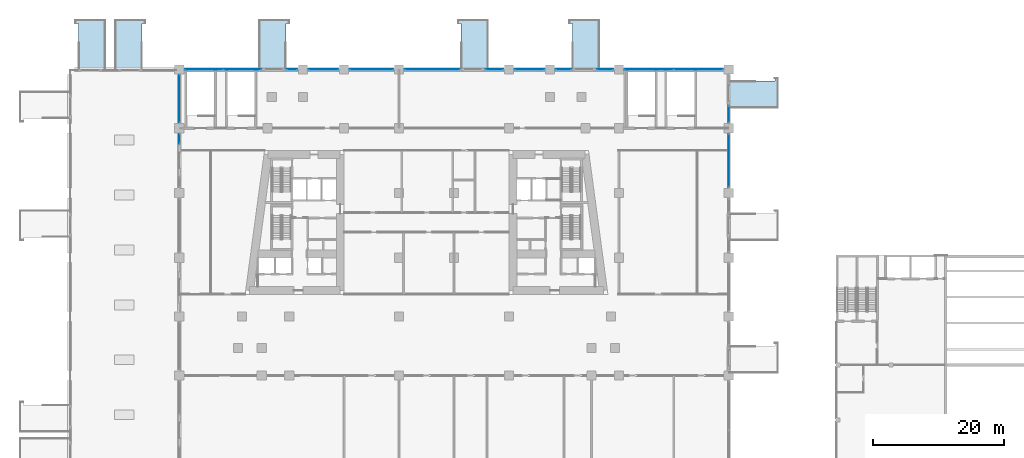
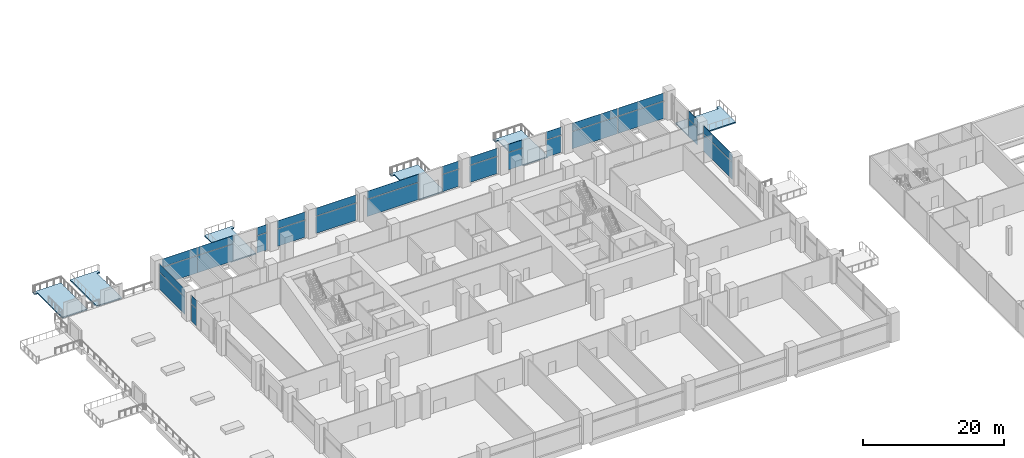
# One storey, part 13 of 33: 32 plates, 6 slabs, 14 elements without a shape of their own.
"""IFC4 building model written with IfcOpenShell, lengths in metres."""

from ifc_helpers import new_model, si_unit, direction, frame, origin, origin_2d, place, context, subcontext, project, spatial, polyline, rectangle, outline, extrude, material, layer, layer_set, type_object, element, aggregate, save


model = new_model("IFC4")

# Units and contexts
model_context = context("Model", 3, precision=1e-05, world=origin(), true_north=direction((0.0, 1.0)))
body_context = subcontext(model_context, "Body", "Model", "MODEL_VIEW")
ifc_project = project(units=[si_unit("LENGTHUNIT", "METRE"), si_unit("AREAUNIT", "SQUARE_METRE"), si_unit("VOLUMEUNIT", "CUBIC_METRE"), si_unit("PLANEANGLEUNIT", "RADIAN"), si_unit("MASSUNIT", "GRAM", prefix="KILO")], contexts=[model_context])

# Site, building, storey
site_placement = place(None, origin())
site = spatial("IfcSite", under=ifc_project, at=site_placement, CompositionType="ELEMENT")
building_placement = place(site_placement, origin())
building = spatial("IfcBuilding", under=site, at=building_placement, Name="Candeia Pilgrim Tower and Theatre", CompositionType="ELEMENT")
storey_placement = place(building_placement, frame((0.0, 0.0, 29.0)))
storey = spatial("IfcBuildingStorey", under=building, at=storey_placement, Name="L04", CompositionType="ELEMENT", Elevation=29.0)

# Curtain wall, plates
ifc_material_1 = material(Name="Aluminium framed podium glazing", Category="aluminium")
curtain_wall_type = type_object("IfcCurtainWallType", Name="CW-P curtain wall", PredefinedType="NOTDEFINED", material=ifc_material_1)
curtain_wall_1_placement = place(storey_placement, origin())
curtain_wall_1 = element("IfcCurtainWall", 1, at=curtain_wall_1_placement, inside=storey, type_object=curtain_wall_type, Name="Curtain wall CW-P L04.041", PredefinedType="NOTDEFINED")
ifc_material_2 = material(Name="Laminated low-iron glass 2 x 8 mm", Category="glass")
ifc_layer_1 = layer(ifc_material_2, 0.035888671875)
ifc_layer_set_1 = layer_set([ifc_layer_1], Name="CW-P glass panel 36")
plate_type = type_object("IfcPlateType", Name="CW-P glass panel 36", PredefinedType="CURTAIN_PANEL", material=ifc_layer_set_1)
plate_1_placement = place(storey_placement, frame((75.60009765625, 134.175048828125, 0.0), z_axis=(0.0, 0.0, 1.0), x_axis=(0.0, 1.0, 0.0)))
plate_1 = element("IfcPlate", 2, at=plate_1_placement, type_object=plate_type, Name="CW-P panel 1.1", PredefinedType="CURTAIN_PANEL", context=body_context, shape_type="SweptSolid", body=[
    extrude(rectangle(XDim=1.469970703125, YDim=0.035888671875, at=origin_2d()), origin(), (0.0, 0.0, 1.0), 2.9599609375),
])
plate_2_placement = place(storey_placement, frame((75.60009765625, 134.175048828125, 3.0400390625), z_axis=(0.0, 0.0, 1.0), x_axis=(0.0, 1.0, 0.0)))
plate_2 = element("IfcPlate", 3, at=plate_2_placement, type_object=plate_type, Name="CW-P panel 1.2", PredefinedType="CURTAIN_PANEL", context=body_context, shape_type="SweptSolid", body=[
    extrude(rectangle(XDim=1.469970703125, YDim=0.035888671875, at=origin_2d()), origin(), (0.0, 0.0, 1.0), 1.360107421875),
])
aggregate(curtain_wall_1, [plate_1, plate_2])

curtain_wall_2_placement = place(storey_placement, origin())
curtain_wall_2 = element("IfcCurtainWall", 4, at=curtain_wall_2_placement, inside=storey, type_object=curtain_wall_type, Name="Curtain wall CW-P L04.050", PredefinedType="NOTDEFINED")
plate_3_placement = place(storey_placement, frame((75.60009765625, 140.300048828125, 0.0), z_axis=(0.0, 0.0, 1.0), x_axis=(0.0, 1.0, 0.0)))
plate_3 = element("IfcPlate", 5, at=plate_3_placement, type_object=plate_type, Name="CW-P panel 1.1", PredefinedType="CURTAIN_PANEL", context=body_context, shape_type="SweptSolid", body=[
    extrude(rectangle(XDim=7.219970703125, YDim=0.035888671875, at=origin_2d()), origin(), (0.0, 0.0, 1.0), 2.9599609375),
])
plate_4_placement = place(storey_placement, frame((75.60009765625, 140.300048828125, 3.0400390625), z_axis=(0.0, 0.0, 1.0), x_axis=(0.0, 1.0, 0.0)))
plate_4 = element("IfcPlate", 6, at=plate_4_placement, type_object=plate_type, Name="CW-P panel 1.2", PredefinedType="CURTAIN_PANEL", context=body_context, shape_type="SweptSolid", body=[
    extrude(rectangle(XDim=7.219970703125, YDim=0.035888671875, at=origin_2d()), origin(), (0.0, 0.0, 1.0), 1.360107421875),
])
aggregate(curtain_wall_2, [plate_3, plate_4])

curtain_wall_3_placement = place(storey_placement, origin())
curtain_wall_3 = element("IfcCurtainWall", 7, at=curtain_wall_3_placement, inside=storey, type_object=curtain_wall_type, Name="Curtain wall CW-P L04.100", PredefinedType="NOTDEFINED")
plate_5_placement = place(storey_placement, frame((79.375, 144.800048828125, 0.0), z_axis=(0.0, 0.0, 1.0), x_axis=(1.0, 0.0, 0.0)))
plate_5 = element("IfcPlate", 8, at=plate_5_placement, type_object=plate_type, Name="CW-P panel 1.1", PredefinedType="CURTAIN_PANEL", context=body_context, shape_type="SweptSolid", body=[
    extrude(rectangle(XDim=5.77001953125, YDim=0.035888671875, at=origin_2d()), origin(), (0.0, 0.0, 1.0), 2.9599609375),
])
plate_6_placement = place(storey_placement, frame((79.375, 144.800048828125, 3.0400390625), z_axis=(0.0, 0.0, 1.0), x_axis=(1.0, 0.0, 0.0)))
plate_6 = element("IfcPlate", 9, at=plate_6_placement, type_object=plate_type, Name="CW-P panel 1.2", PredefinedType="CURTAIN_PANEL", context=body_context, shape_type="SweptSolid", body=[
    extrude(rectangle(XDim=5.77001953125, YDim=0.035888671875, at=origin_2d()), origin(), (0.0, 0.0, 1.0), 1.360107421875),
])
plate_7_placement = place(storey_placement, frame((85.22509765625, 144.800048828125, 0.0), z_axis=(0.0, 0.0, 1.0), x_axis=(1.0, 0.0, 0.0)))
plate_7 = element("IfcPlate", 10, at=plate_7_placement, type_object=plate_type, Name="CW-P panel 2.1", PredefinedType="CURTAIN_PANEL", context=body_context, shape_type="SweptSolid", body=[
    extrude(rectangle(XDim=5.77001953125, YDim=0.035888671875, at=origin_2d()), origin(), (0.0, 0.0, 1.0), 2.9599609375),
])
plate_8_placement = place(storey_placement, frame((85.22509765625, 144.800048828125, 3.0400390625), z_axis=(0.0, 0.0, 1.0), x_axis=(1.0, 0.0, 0.0)))
plate_8 = element("IfcPlate", 11, at=plate_8_placement, type_object=plate_type, Name="CW-P panel 2.2", PredefinedType="CURTAIN_PANEL", context=body_context, shape_type="SweptSolid", body=[
    extrude(rectangle(XDim=5.77001953125, YDim=0.035888671875, at=origin_2d()), origin(), (0.0, 0.0, 1.0), 1.360107421875),
])
aggregate(curtain_wall_3, [plate_5, plate_6, plate_7, plate_8])

curtain_wall_4_placement = place(storey_placement, origin())
curtain_wall_4 = element("IfcCurtainWall", 12, at=curtain_wall_4_placement, inside=storey, type_object=curtain_wall_type, Name="Curtain wall CW-P L04.101", PredefinedType="NOTDEFINED")
plate_9_placement = place(storey_placement, frame((92.85009765625, 144.800048828125, 0.0), z_axis=(0.0, 0.0, 1.0), x_axis=(1.0, 0.0, 0.0)))
plate_9 = element("IfcPlate", 13, at=plate_9_placement, type_object=plate_type, Name="CW-P panel 1.1", PredefinedType="CURTAIN_PANEL", context=body_context, shape_type="SweptSolid", body=[
    extrude(rectangle(XDim=1.52001953125, YDim=0.035888671875, at=origin_2d()), origin(), (0.0, 0.0, 1.0), 2.9599609375),
])
plate_10_placement = place(storey_placement, frame((92.85009765625, 144.800048828125, 3.0400390625), z_axis=(0.0, 0.0, 1.0), x_axis=(1.0, 0.0, 0.0)))
plate_10 = element("IfcPlate", 14, at=plate_10_placement, type_object=plate_type, Name="CW-P panel 1.2", PredefinedType="CURTAIN_PANEL", context=body_context, shape_type="SweptSolid", body=[
    extrude(rectangle(XDim=1.52001953125, YDim=0.035888671875, at=origin_2d()), origin(), (0.0, 0.0, 1.0), 1.360107421875),
])
aggregate(curtain_wall_4, [plate_9, plate_10])

curtain_wall_5_placement = place(storey_placement, origin())
curtain_wall_5 = element("IfcCurtainWall", 15, at=curtain_wall_5_placement, inside=storey, type_object=curtain_wall_type, Name="Curtain wall CW-P L04.110", PredefinedType="NOTDEFINED")
plate_11_placement = place(storey_placement, frame((97.64990234375, 144.800048828125, 0.0), z_axis=(0.0, 0.0, 1.0), x_axis=(1.0, 0.0, 0.0)))
plate_11 = element("IfcPlate", 16, at=plate_11_placement, type_object=plate_type, Name="CW-P panel 1.1", PredefinedType="CURTAIN_PANEL", context=body_context, shape_type="SweptSolid", body=[
    extrude(rectangle(XDim=4.52001953125, YDim=0.035888671875, at=origin_2d()), origin(), (0.0, 0.0, 1.0), 2.9599609375),
])
plate_12_placement = place(storey_placement, frame((97.64990234375, 144.800048828125, 3.0400390625), z_axis=(0.0, 0.0, 1.0), x_axis=(1.0, 0.0, 0.0)))
plate_12 = element("IfcPlate", 17, at=plate_12_placement, type_object=plate_type, Name="CW-P panel 1.2", PredefinedType="CURTAIN_PANEL", context=body_context, shape_type="SweptSolid", body=[
    extrude(rectangle(XDim=4.52001953125, YDim=0.035888671875, at=origin_2d()), origin(), (0.0, 0.0, 1.0), 1.360107421875),
])
aggregate(curtain_wall_5, [plate_11, plate_12])

curtain_wall_6_placement = place(storey_placement, origin())
curtain_wall_6 = element("IfcCurtainWall", 18, at=curtain_wall_6_placement, inside=storey, type_object=curtain_wall_type, Name="Curtain wall CW-P L04.120", PredefinedType="NOTDEFINED")
plate_13_placement = place(storey_placement, frame((105.0, 144.800048828125, 0.0), z_axis=(0.0, 0.0, 1.0), x_axis=(1.0, 0.0, 0.0)))
plate_13 = element("IfcPlate", 19, at=plate_13_placement, type_object=plate_type, Name="CW-P panel 1.1", PredefinedType="CURTAIN_PANEL", context=body_context, shape_type="SweptSolid", body=[
    extrude(rectangle(XDim=6.6201171875, YDim=0.035888671875, at=origin_2d()), origin(), (0.0, 0.0, 1.0), 2.9599609375),
])
plate_14_placement = place(storey_placement, frame((105.0, 144.800048828125, 3.0400390625), z_axis=(0.0, 0.0, 1.0), x_axis=(1.0, 0.0, 0.0)))
plate_14 = element("IfcPlate", 20, at=plate_14_placement, type_object=plate_type, Name="CW-P panel 1.2", PredefinedType="CURTAIN_PANEL", context=body_context, shape_type="SweptSolid", body=[
    extrude(rectangle(XDim=6.6201171875, YDim=0.035888671875, at=origin_2d()), origin(), (0.0, 0.0, 1.0), 1.360107421875),
])
aggregate(curtain_wall_6, [plate_13, plate_14])

curtain_wall_7_placement = place(storey_placement, origin())
curtain_wall_7 = element("IfcCurtainWall", 21, at=curtain_wall_7_placement, inside=storey, type_object=curtain_wall_type, Name="Curtain wall CW-P L04.130", PredefinedType="NOTDEFINED")
plate_15_placement = place(storey_placement, frame((114.300048828125, 144.800048828125, 0.0), z_axis=(0.0, 0.0, 1.0), x_axis=(1.0, 0.0, 0.0)))
plate_15 = element("IfcPlate", 22, at=plate_15_placement, type_object=plate_type, Name="CW-P panel 1.1", PredefinedType="CURTAIN_PANEL", context=body_context, shape_type="SweptSolid", body=[
    extrude(rectangle(XDim=8.419921875, YDim=0.035888671875, at=origin_2d()), origin(), (0.0, 0.0, 1.0), 2.9599609375),
])
plate_16_placement = place(storey_placement, frame((114.300048828125, 144.800048828125, 3.0400390625), z_axis=(0.0, 0.0, 1.0), x_axis=(1.0, 0.0, 0.0)))
plate_16 = element("IfcPlate", 23, at=plate_16_placement, type_object=plate_type, Name="CW-P panel 1.2", PredefinedType="CURTAIN_PANEL", context=body_context, shape_type="SweptSolid", body=[
    extrude(rectangle(XDim=8.419921875, YDim=0.035888671875, at=origin_2d()), origin(), (0.0, 0.0, 1.0), 1.360107421875),
])
aggregate(curtain_wall_7, [plate_15, plate_16])

curtain_wall_8_placement = place(storey_placement, origin())
curtain_wall_8 = element("IfcCurtainWall", 24, at=curtain_wall_8_placement, inside=storey, type_object=curtain_wall_type, Name="Curtain wall CW-P L04.131", PredefinedType="NOTDEFINED")
plate_17_placement = place(storey_placement, frame((123.800048828125, 144.800048828125, 0.0), z_axis=(0.0, 0.0, 1.0), x_axis=(1.0, 0.0, 0.0)))
plate_17 = element("IfcPlate", 25, at=plate_17_placement, type_object=plate_type, Name="CW-P panel 1.1", PredefinedType="CURTAIN_PANEL", context=body_context, shape_type="SweptSolid", body=[
    extrude(rectangle(XDim=2.6201171875, YDim=0.035888671875, at=origin_2d()), origin(), (0.0, 0.0, 1.0), 2.9599609375),
])
plate_18_placement = place(storey_placement, frame((123.800048828125, 144.800048828125, 3.0400390625), z_axis=(0.0, 0.0, 1.0), x_axis=(1.0, 0.0, 0.0)))
plate_18 = element("IfcPlate", 26, at=plate_18_placement, type_object=plate_type, Name="CW-P panel 1.2", PredefinedType="CURTAIN_PANEL", context=body_context, shape_type="SweptSolid", body=[
    extrude(rectangle(XDim=2.6201171875, YDim=0.035888671875, at=origin_2d()), origin(), (0.0, 0.0, 1.0), 1.360107421875),
])
aggregate(curtain_wall_8, [plate_17, plate_18])

curtain_wall_9_placement = place(storey_placement, origin())
curtain_wall_9 = element("IfcCurtainWall", 27, at=curtain_wall_9_placement, inside=storey, type_object=curtain_wall_type, Name="Curtain wall CW-P L04.140", PredefinedType="NOTDEFINED")
plate_19_placement = place(storey_placement, frame((129.14990234375, 144.800048828125, 0.0), z_axis=(0.0, 0.0, 1.0), x_axis=(1.0, 0.0, 0.0)))
plate_19 = element("IfcPlate", 28, at=plate_19_placement, type_object=plate_type, Name="CW-P panel 1.1", PredefinedType="CURTAIN_PANEL", context=body_context, shape_type="SweptSolid", body=[
    extrude(rectangle(XDim=4.52001953125, YDim=0.035888671875, at=origin_2d()), origin(), (0.0, 0.0, 1.0), 2.9599609375),
])
plate_20_placement = place(storey_placement, frame((129.14990234375, 144.800048828125, 3.0400390625), z_axis=(0.0, 0.0, 1.0), x_axis=(1.0, 0.0, 0.0)))
plate_20 = element("IfcPlate", 29, at=plate_20_placement, type_object=plate_type, Name="CW-P panel 1.2", PredefinedType="CURTAIN_PANEL", context=body_context, shape_type="SweptSolid", body=[
    extrude(rectangle(XDim=4.52001953125, YDim=0.035888671875, at=origin_2d()), origin(), (0.0, 0.0, 1.0), 1.360107421875),
])
aggregate(curtain_wall_9, [plate_19, plate_20])

curtain_wall_10_placement = place(storey_placement, origin())
curtain_wall_10 = element("IfcCurtainWall", 30, at=curtain_wall_10_placement, inside=storey, type_object=curtain_wall_type, Name="Curtain wall CW-P L04.150", PredefinedType="NOTDEFINED")
plate_21_placement = place(storey_placement, frame((134.35009765625, 144.800048828125, 0.0), z_axis=(0.0, 0.0, 1.0), x_axis=(1.0, 0.0, 0.0)))
plate_21 = element("IfcPlate", 31, at=plate_21_placement, type_object=plate_type, Name="CW-P panel 1.1", PredefinedType="CURTAIN_PANEL", context=body_context, shape_type="SweptSolid", body=[
    extrude(rectangle(XDim=2.320068359375, YDim=0.035888671875, at=origin_2d()), origin(), (0.0, 0.0, 1.0), 2.9599609375),
])
plate_22_placement = place(storey_placement, frame((134.35009765625, 144.800048828125, 3.0400390625), z_axis=(0.0, 0.0, 1.0), x_axis=(1.0, 0.0, 0.0)))
plate_22 = element("IfcPlate", 32, at=plate_22_placement, type_object=plate_type, Name="CW-P panel 1.2", PredefinedType="CURTAIN_PANEL", context=body_context, shape_type="SweptSolid", body=[
    extrude(rectangle(XDim=2.320068359375, YDim=0.035888671875, at=origin_2d()), origin(), (0.0, 0.0, 1.0), 1.360107421875),
])
aggregate(curtain_wall_10, [plate_21, plate_22])

curtain_wall_11_placement = place(storey_placement, origin())
curtain_wall_11 = element("IfcCurtainWall", 33, at=curtain_wall_11_placement, inside=storey, type_object=curtain_wall_type, Name="Curtain wall CW-P L04.151", PredefinedType="NOTDEFINED")
plate_23_placement = place(storey_placement, frame((140.699951171875, 144.800048828125, 0.0), z_axis=(0.0, 0.0, 1.0), x_axis=(1.0, 0.0, 0.0)))
plate_23 = element("IfcPlate", 34, at=plate_23_placement, type_object=plate_type, Name="CW-P panel 1.1", PredefinedType="CURTAIN_PANEL", context=body_context, shape_type="SweptSolid", body=[
    extrude(rectangle(XDim=2.419921875, YDim=0.035888671875, at=origin_2d()), origin(), (0.0, 0.0, 1.0), 2.9599609375),
])
plate_24_placement = place(storey_placement, frame((140.699951171875, 144.800048828125, 3.0400390625), z_axis=(0.0, 0.0, 1.0), x_axis=(1.0, 0.0, 0.0)))
plate_24 = element("IfcPlate", 35, at=plate_24_placement, type_object=plate_type, Name="CW-P panel 1.2", PredefinedType="CURTAIN_PANEL", context=body_context, shape_type="SweptSolid", body=[
    extrude(rectangle(XDim=2.419921875, YDim=0.035888671875, at=origin_2d()), origin(), (0.0, 0.0, 1.0), 1.360107421875),
])
aggregate(curtain_wall_11, [plate_23, plate_24])

curtain_wall_12_placement = place(storey_placement, origin())
curtain_wall_12 = element("IfcCurtainWall", 36, at=curtain_wall_12_placement, inside=storey, type_object=curtain_wall_type, Name="Curtain wall CW-P L04.160", PredefinedType="NOTDEFINED")
plate_25_placement = place(storey_placement, frame((147.425048828125, 144.800048828125, 0.0), z_axis=(0.0, 0.0, 1.0), x_axis=(1.0, 0.0, 0.0)))
plate_25 = element("IfcPlate", 37, at=plate_25_placement, type_object=plate_type, Name="CW-P panel 1.1", PredefinedType="CURTAIN_PANEL", context=body_context, shape_type="SweptSolid", body=[
    extrude(rectangle(XDim=7.469970703125, YDim=0.035888671875, at=origin_2d()), origin(), (0.0, 0.0, 1.0), 2.9599609375),
])
plate_26_placement = place(storey_placement, frame((147.425048828125, 144.800048828125, 3.0400390625), z_axis=(0.0, 0.0, 1.0), x_axis=(1.0, 0.0, 0.0)))
plate_26 = element("IfcPlate", 38, at=plate_26_placement, type_object=plate_type, Name="CW-P panel 1.2", PredefinedType="CURTAIN_PANEL", context=body_context, shape_type="SweptSolid", body=[
    extrude(rectangle(XDim=7.469970703125, YDim=0.035888671875, at=origin_2d()), origin(), (0.0, 0.0, 1.0), 1.360107421875),
])
plate_27_placement = place(storey_placement, frame((154.97509765625, 144.800048828125, 0.0), z_axis=(0.0, 0.0, 1.0), x_axis=(1.0, 0.0, 0.0)))
plate_27 = element("IfcPlate", 39, at=plate_27_placement, type_object=plate_type, Name="CW-P panel 2.1", PredefinedType="CURTAIN_PANEL", context=body_context, shape_type="SweptSolid", body=[
    extrude(rectangle(XDim=7.469970703125, YDim=0.035888671875, at=origin_2d()), origin(), (0.0, 0.0, 1.0), 2.9599609375),
])
plate_28_placement = place(storey_placement, frame((154.97509765625, 144.800048828125, 3.0400390625), z_axis=(0.0, 0.0, 1.0), x_axis=(1.0, 0.0, 0.0)))
plate_28 = element("IfcPlate", 40, at=plate_28_placement, type_object=plate_type, Name="CW-P panel 2.2", PredefinedType="CURTAIN_PANEL", context=body_context, shape_type="SweptSolid", body=[
    extrude(rectangle(XDim=7.469970703125, YDim=0.035888671875, at=origin_2d()), origin(), (0.0, 0.0, 1.0), 1.360107421875),
])
aggregate(curtain_wall_12, [plate_25, plate_26, plate_27, plate_28])

curtain_wall_13_placement = place(storey_placement, origin())
curtain_wall_13 = element("IfcCurtainWall", 41, at=curtain_wall_13_placement, inside=storey, type_object=curtain_wall_type, Name="Curtain wall CW-P L04.201", PredefinedType="NOTDEFINED")
plate_29_placement = place(storey_placement, frame((159.60009765625, 137.949951171875, 0.0), z_axis=(0.0, 0.0, 1.0), x_axis=(0.0, -1.0, 0.0)))
plate_29 = element("IfcPlate", 42, at=plate_29_placement, type_object=plate_type, Name="CW-P panel 1.1", PredefinedType="CURTAIN_PANEL", context=body_context, shape_type="SweptSolid", body=[
    extrude(rectangle(XDim=2.52001953125, YDim=0.035888671875, at=origin_2d()), origin(), (0.0, 0.0, 1.0), 2.9599609375),
])
plate_30_placement = place(storey_placement, frame((159.60009765625, 137.949951171875, 3.0400390625), z_axis=(0.0, 0.0, 1.0), x_axis=(0.0, -1.0, 0.0)))
plate_30 = element("IfcPlate", 43, at=plate_30_placement, type_object=plate_type, Name="CW-P panel 1.2", PredefinedType="CURTAIN_PANEL", context=body_context, shape_type="SweptSolid", body=[
    extrude(rectangle(XDim=2.52001953125, YDim=0.035888671875, at=origin_2d()), origin(), (0.0, 0.0, 1.0), 1.360107421875),
])
aggregate(curtain_wall_13, [plate_29, plate_30])

curtain_wall_14_placement = place(storey_placement, origin())
curtain_wall_14 = element("IfcCurtainWall", 44, at=curtain_wall_14_placement, inside=storey, type_object=curtain_wall_type, Name="Curtain wall CW-P L04.210", PredefinedType="NOTDEFINED")
plate_31_placement = place(storey_placement, frame((159.60009765625, 130.85009765625, 0.0), z_axis=(0.0, 0.0, 1.0), x_axis=(0.0, -1.0, 0.0)))
plate_31 = element("IfcPlate", 45, at=plate_31_placement, type_object=plate_type, Name="CW-P panel 1.1", PredefinedType="CURTAIN_PANEL", context=body_context, shape_type="SweptSolid", body=[
    extrude(rectangle(XDim=8.1201171875, YDim=0.035888671875, at=origin_2d()), origin(), (0.0, 0.0, 1.0), 2.9599609375),
])
plate_32_placement = place(storey_placement, frame((159.60009765625, 130.85009765625, 3.0400390625), z_axis=(0.0, 0.0, 1.0), x_axis=(0.0, -1.0, 0.0)))
plate_32 = element("IfcPlate", 46, at=plate_32_placement, type_object=plate_type, Name="CW-P panel 1.2", PredefinedType="CURTAIN_PANEL", context=body_context, shape_type="SweptSolid", body=[
    extrude(rectangle(XDim=8.1201171875, YDim=0.035888671875, at=origin_2d()), origin(), (0.0, 0.0, 1.0), 1.360107421875),
])
aggregate(curtain_wall_14, [plate_31, plate_32])

# Slabs
ifc_material_3 = material(Name="Concrete C40/50", Category="concrete")
ifc_layer_2 = layer(ifc_material_3, 0.199951171875)
ifc_layer_set_2 = layer_set([ifc_layer_2], Name="SL-EXT stair landing")
slab_type = type_object("IfcSlabType", Name="SL-EXT stair landing", PredefinedType="LANDING", material=ifc_layer_set_2)
slab_1_placement = place(storey_placement, frame((0.0, 0.0, -0.199951171875)))
element("IfcSlab", 47, at=slab_1_placement, inside=storey, type_object=slab_type, Name="L04 External escape stair ES2 floor landing", PredefinedType="LANDING", context=body_context, shape_type="SweptSolid", body=[
    extrude(outline(polyline([(159.64990234375, 138.89990234375), (159.64990234375, 143.02001953125), (166.64990234375, 143.02001953125), (166.64990234375, 143.5), (167.14990234375, 143.5), (167.14990234375, 138.89990234375), (159.64990234375, 138.89990234375)])), origin(), (0.0, 0.0, 1.0), 0.199951171875),
])
slab_2_placement = place(storey_placement, frame((0.0, 0.0, -0.199951171875)))
element("IfcSlab", 48, at=slab_2_placement, inside=storey, type_object=slab_type, Name="L04 External escape stair ES3 floor landing", PredefinedType="LANDING", context=body_context, shape_type="SweptSolid", body=[
    extrude(outline(polyline([(64.300048828125, 144.85009765625), (60.179931640625, 144.85009765625), (60.179931640625, 151.85009765625), (59.699951171875, 151.85009765625), (59.699951171875, 152.35009765625), (64.300048828125, 152.35009765625), (64.300048828125, 144.85009765625)])), origin(), (0.0, 0.0, 1.0), 0.199951171875),
])
slab_3_placement = place(storey_placement, frame((0.0, 0.0, -0.199951171875)))
element("IfcSlab", 49, at=slab_3_placement, inside=storey, type_object=slab_type, Name="L04 External escape stair ES4 floor landing", PredefinedType="LANDING", context=body_context, shape_type="SweptSolid", body=[
    extrude(outline(polyline([(65.800048828125, 144.85009765625), (69.919921875, 144.85009765625), (69.919921875, 151.85009765625), (70.39990234375, 151.85009765625), (70.39990234375, 152.35009765625), (65.800048828125, 152.35009765625), (65.800048828125, 144.85009765625)])), origin(), (0.0, 0.0, 1.0), 0.199951171875),
])
slab_4_placement = place(storey_placement, frame((0.0, 0.0, -0.199951171875)))
element("IfcSlab", 50, at=slab_4_placement, inside=storey, type_object=slab_type, Name="L04 External escape stair ES5 floor landing", PredefinedType="LANDING", context=body_context, shape_type="SweptSolid", body=[
    extrude(outline(polyline([(87.800048828125, 144.85009765625), (91.919921875, 144.85009765625), (91.919921875, 151.85009765625), (92.39990234375, 151.85009765625), (92.39990234375, 152.35009765625), (87.800048828125, 152.35009765625), (87.800048828125, 144.85009765625)])), origin(), (0.0, 0.0, 1.0), 0.199951171875),
])
slab_5_placement = place(storey_placement, frame((0.0, 0.0, -0.199951171875)))
element("IfcSlab", 51, at=slab_5_placement, inside=storey, type_object=slab_type, Name="L04 External escape stair ES6 floor landing", PredefinedType="LANDING", context=body_context, shape_type="SweptSolid", body=[
    extrude(outline(polyline([(122.800048828125, 144.85009765625), (118.679931640625, 144.85009765625), (118.679931640625, 151.85009765625), (118.199951171875, 151.85009765625), (118.199951171875, 152.35009765625), (122.800048828125, 152.35009765625), (122.800048828125, 144.85009765625)])), origin(), (0.0, 0.0, 1.0), 0.199951171875),
])
slab_6_placement = place(storey_placement, frame((0.0, 0.0, -0.199951171875)))
element("IfcSlab", 52, at=slab_6_placement, inside=storey, type_object=slab_type, Name="L04 External escape stair ES7 floor landing", PredefinedType="LANDING", context=body_context, shape_type="SweptSolid", body=[
    extrude(outline(polyline([(139.800048828125, 144.85009765625), (135.679931640625, 144.85009765625), (135.679931640625, 151.85009765625), (135.199951171875, 151.85009765625), (135.199951171875, 152.35009765625), (139.800048828125, 152.35009765625), (139.800048828125, 144.85009765625)])), origin(), (0.0, 0.0, 1.0), 0.199951171875),
])

save(model, "model.ifc")
